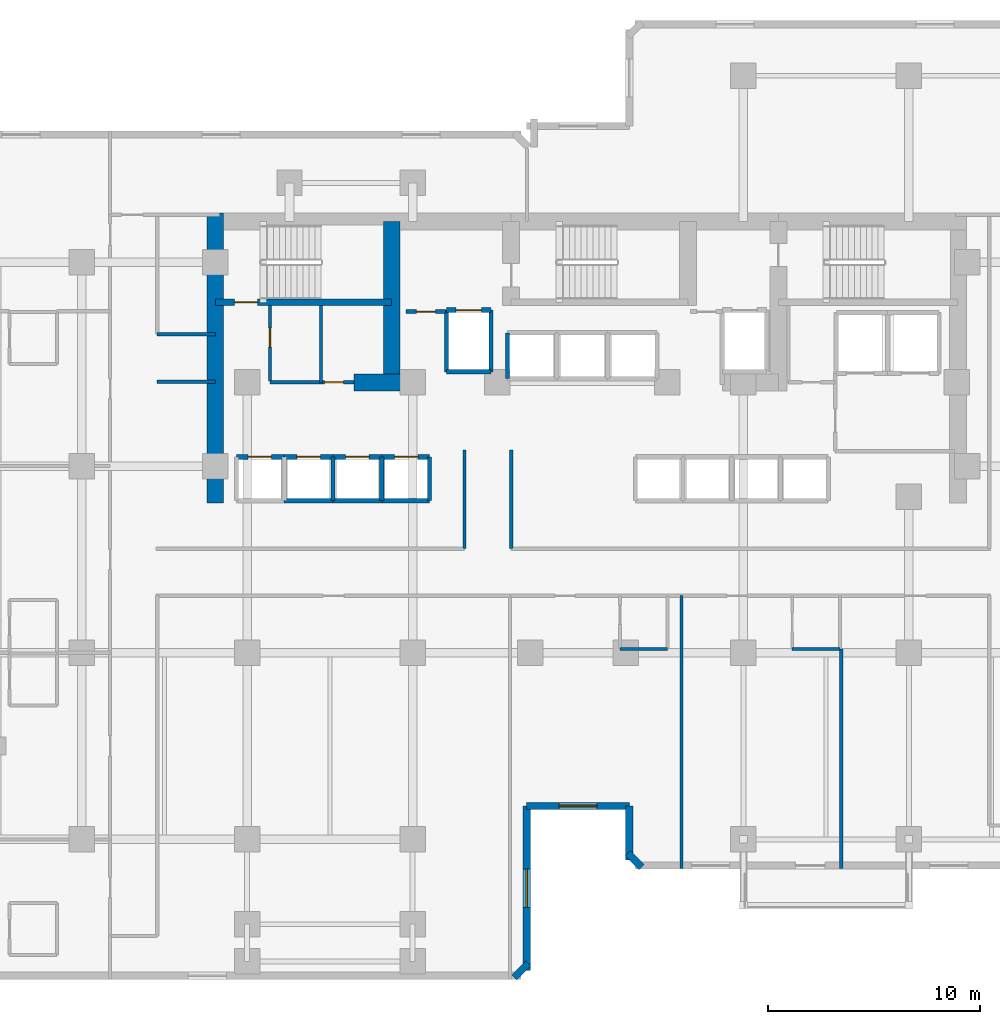
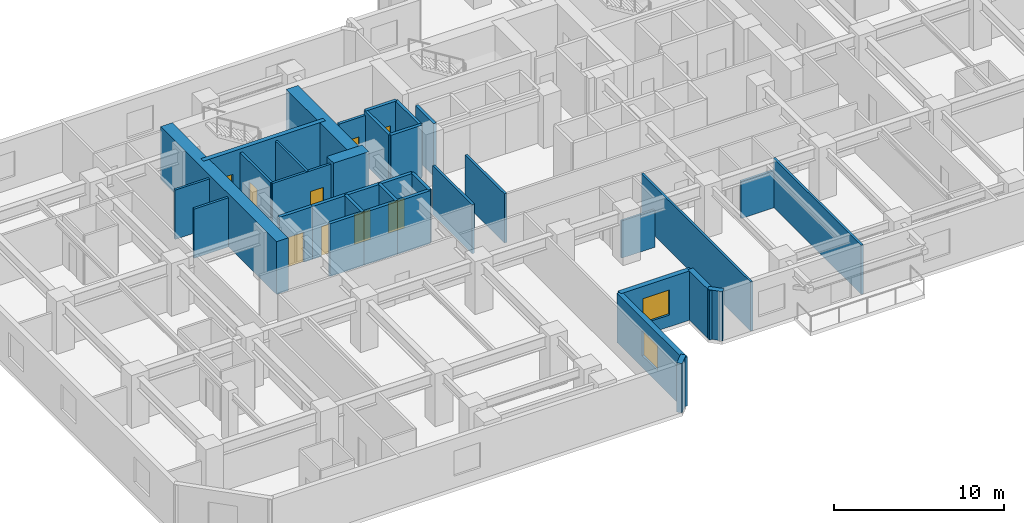
# One storey, part 6 of 11: 36 walls, 9 doors, 2 windows, 11 openings.
"""IFC4 building model written with IfcOpenShell, lengths in metres."""

from ifc_helpers import new_model, si_unit, direction, frame, frame_2d, origin, place, context, subcontext, project, spatial, rectangle, extrude, material, layer, layer_set, type_object, element, fill, save


model = new_model("IFC4")

# Units and contexts
model_context = context("Model", 3, precision=1e-05, world=origin(), true_north=direction((0.0, 1.0)))
body_context = subcontext(model_context, "Body", "Model", "MODEL_VIEW")
ifc_project = project(units=[si_unit("LENGTHUNIT", "METRE"), si_unit("AREAUNIT", "SQUARE_METRE"), si_unit("VOLUMEUNIT", "CUBIC_METRE"), si_unit("PLANEANGLEUNIT", "RADIAN"), si_unit("MASSUNIT", "GRAM", prefix="KILO")], contexts=[model_context])

# Site, building, storey
site_placement = place(None, origin())
site = spatial("IfcSite", under=ifc_project, at=site_placement, CompositionType="ELEMENT")
building_placement = place(site_placement, origin())
building = spatial("IfcBuilding", under=site, at=building_placement, Name="Kestravale Grand Hotel", CompositionType="ELEMENT")
storey_placement = place(building_placement, frame((0.0, 0.0, 84.199951171875)))
storey = spatial("IfcBuildingStorey", under=building, at=storey_placement, Name="L20", CompositionType="ELEMENT", Elevation=84.199951171875)

# Walls
ifc_material_1 = material(Name="Concrete f'c 60 MPa", Category="concrete")
ifc_layer_1 = layer(ifc_material_1, 0.800048828125)
ifc_layer_set_1 = layer_set([ifc_layer_1], Name="EW-CORE-800")
wall_type_1 = type_object("IfcWallType", Name="EW-CORE-800", PredefinedType="SHEAR", material=ifc_layer_set_1)
wall_1_placement = place(storey_placement, frame((21.89990234375, 27.050048828125, 0.0), z_axis=(0.0, 0.0, 1.0), x_axis=(0.0, 1.0, 0.0)))
element("IfcWall", 1, at=wall_1_placement, inside=storey, type_object=wall_type_1, Name="L20 core shear wall W1", PredefinedType="SHEAR", context=body_context, shape_type="SweptSolid", body=[
    extrude(rectangle(XDim=13.669921875, YDim=0.800048828125, at=frame_2d((6.8349609375, 0.0))), origin(), (0.0, 0.0, 1.0), 3.800048828125),
])
wall_2_placement = place(storey_placement, frame((28.449951171875, 32.75, 0.0), z_axis=(0.0, 0.0, 1.0), x_axis=(1.0, 0.0, 0.0)))
element("IfcWall", 2, at=wall_2_placement, inside=storey, type_object=wall_type_1, Name="L20 core shear wall S1", PredefinedType="SHEAR", context=body_context, shape_type="SweptSolid", body=[
    extrude(rectangle(XDim=2.400146484375, YDim=0.800048828125, at=frame_2d((1.2001953125, 0.0))), origin(), (0.0, 0.0, 1.0), 3.800048828125),
])
wall_3_placement = place(storey_placement, frame((30.219970703125, 33.14990234375, 0.0), z_axis=(0.0, 0.0, 1.0), x_axis=(0.0, 1.0, 0.0)))
element("IfcWall", 3, at=wall_3_placement, inside=storey, type_object=wall_type_1, Name="L20 core shear wall X1", PredefinedType="SHEAR", context=body_context, shape_type="SweptSolid", body=[
    extrude(rectangle(XDim=7.170166015625, YDim=0.800048828125, at=frame_2d((3.5849609375, 0.0))), origin(), (0.0, 0.0, 1.0), 3.800048828125),
])
ifc_material_2 = material(Name="Precast concrete f'c 45 MPa", Category="concrete")
ifc_layer_2 = layer(ifc_material_2, 0.340087890625)
ifc_layer_set_2 = layer_set([ifc_layer_2], Name="EW-PREC-340")
wall_type_2 = type_object("IfcWallType", Name="EW-PREC-340", PredefinedType="SOLIDWALL", material=ifc_layer_set_2)
wall_4_placement = place(storey_placement, frame((36.00146484375, 4.69189453125, 0.0), z_axis=(0.0, 0.0, 1.0), x_axis=(0.707238225886, 0.706975312048, 0.0)))
element("IfcWall", 4, at=wall_4_placement, inside=storey, type_object=wall_type_2, Name="L20 fluted precast facade wall 2", PredefinedType="SOLIDWALL", context=body_context, shape_type="SweptSolid", body=[
    extrude(rectangle(XDim=0.9287109375, YDim=0.340087890625, at=frame_2d((0.46435546875, 0.0))), origin(), (0.0, 0.0, 1.0), 3.5400390625),
])

# Wall, opening, window
wall_5_placement = place(storey_placement, frame((36.580078125, 5.030029296875, 0.0), z_axis=(0.0, 0.0, 1.0), x_axis=(0.0, 1.0, 0.0)))
wall_5 = element("IfcWall", 5, at=wall_5_placement, inside=storey, type_object=wall_type_2, Name="L20 fluted precast facade wall 3", PredefinedType="SOLIDWALL", context=body_context, shape_type="SweptSolid", body=[
    extrude(rectangle(XDim=7.739990234375, YDim=0.340087890625, at=frame_2d((3.8701171875, 0.0))), origin(), (0.0, 0.0, 1.0), 3.5400390625),
])
opening_1_placement = place(wall_5_placement, frame((2.969970703125, 0.0, 0.85009765625)))
opening_1 = element("IfcOpeningElement", 6, at=opening_1_placement, cuts=wall_5, Name="Opening W-GUEST-1800", PredefinedType="OPENING", context=body_context, shape_type="SweptSolid", body=[
    extrude(rectangle(XDim=1.800048828125, YDim=1.800048828125, at=frame_2d((0.89990234375, 0.89990234375))), frame((0.0, 0.179931640625, 0.0), z_axis=(0.0, -1.0, 0.0), x_axis=(1.0, 0.0, 0.0)), (0.0, 0.0, 1.0), 0.360107421875),
])
ifc_material_3 = material(Name="Insulated low-E double glazing in aluminium frame", Category="aluminium")
window_type = type_object("IfcWindowType", Name="W-GUEST-1800", PartitioningType="DOUBLE_PANEL_VERTICAL", PredefinedType="WINDOW", material=ifc_material_3)
window_1_placement = place(opening_1_placement, origin())
window_1 = element("IfcWindow", 7, at=window_1_placement, inside=storey, type_object=window_type, Name="L20 exterior window 3.1", OverallHeight=1.800048828125, OverallWidth=1.800048828125, PartitioningType="SINGLE_PANEL", PredefinedType="WINDOW", context=body_context, shape_type="SweptSolid", body=[
    extrude(rectangle(XDim=1.800048828125, YDim=1.800048828125, at=frame_2d((0.89990234375, 0.89990234375))), frame((0.0, 0.030029296875, 0.0), z_axis=(0.0, -1.0, 0.0), x_axis=(1.0, 0.0, 0.0)), (0.0, 0.0, 1.0), 0.06005859375),
])
fill(opening_1, window_1)

wall_6_placement = place(storey_placement, frame((36.580078125, 12.77001953125, 0.0), z_axis=(0.0, 0.0, 1.0), x_axis=(1.0, 0.0, 0.0)))
wall_6 = element("IfcWall", 8, at=wall_6_placement, inside=storey, type_object=wall_type_2, Name="L20 fluted precast facade wall 4", PredefinedType="SOLIDWALL", context=body_context, shape_type="SweptSolid", body=[
    extrude(rectangle(XDim=4.83984375, YDim=0.340087890625, at=frame_2d((2.419921875, 0.0))), origin(), (0.0, 0.0, 1.0), 3.5400390625),
])
opening_2_placement = place(wall_6_placement, frame((1.52001953125, 0.0, 0.85009765625)))
opening_2 = element("IfcOpeningElement", 9, at=opening_2_placement, cuts=wall_6, Name="Opening W-GUEST-1800", PredefinedType="OPENING", context=body_context, shape_type="SweptSolid", body=[
    extrude(rectangle(XDim=1.800048828125, YDim=1.800048828125, at=frame_2d((0.89990234375, 0.89990234375))), frame((0.0, 0.179931640625, 0.0), z_axis=(0.0, -1.0, 0.0), x_axis=(1.0, 0.0, 0.0)), (0.0, 0.0, 1.0), 0.360107421875),
])
window_2_placement = place(opening_2_placement, origin())
window_2 = element("IfcWindow", 10, at=window_2_placement, inside=storey, type_object=window_type, Name="L20 exterior window 4.1", OverallHeight=1.800048828125, OverallWidth=1.800048828125, PartitioningType="SINGLE_PANEL", PredefinedType="WINDOW", context=body_context, shape_type="SweptSolid", body=[
    extrude(rectangle(XDim=1.800048828125, YDim=1.800048828125, at=frame_2d((0.89990234375, 0.89990234375))), frame((0.0, 0.030029296875, 0.0), z_axis=(0.0, -1.0, 0.0), x_axis=(1.0, 0.0, 0.0)), (0.0, 0.0, 1.0), 0.06005859375),
])
fill(opening_2, window_2)

# Walls
wall_7_placement = place(storey_placement, frame((41.419921875, 12.77001953125, 0.0), z_axis=(0.0, 0.0, 1.0), x_axis=(0.0, -1.0, 0.0)))
element("IfcWall", 11, at=wall_7_placement, inside=storey, type_object=wall_type_2, Name="L20 fluted precast facade wall 5", PredefinedType="SOLIDWALL", context=body_context, shape_type="SweptSolid", body=[
    extrude(rectangle(XDim=2.5400390625, YDim=0.340087890625, at=frame_2d((1.27001953125, 0.0))), origin(), (0.0, 0.0, 1.0), 3.5400390625),
])
wall_8_placement = place(storey_placement, frame((41.341796875, 10.548583984375, 0.0), z_axis=(0.0, 0.0, 1.0), x_axis=(0.707106781187, -0.707106781187, 0.0)))
element("IfcWall", 12, at=wall_8_placement, inside=storey, type_object=wall_type_2, Name="L20 fluted precast facade wall 6", PredefinedType="SOLIDWALL", context=body_context, shape_type="SweptSolid", body=[
    extrude(rectangle(XDim=0.9287109375, YDim=0.340087890625, at=frame_2d((0.46435546875, 0.0))), origin(), (0.0, 0.0, 1.0), 3.5400390625),
])

# Wall, opening, door
ifc_material_4 = material(Name="Concrete f'c 45 MPa", Category="concrete")
ifc_layer_3 = layer(ifc_material_4, 0.300048828125)
ifc_layer_set_3 = layer_set([ifc_layer_3], Name="EW-STAIR-300")
wall_type_3 = type_object("IfcWallType", Name="EW-STAIR-300", PredefinedType="SHEAR", material=ifc_layer_set_3)
wall_9_placement = place(storey_placement, frame((21.89990234375, 36.52001953125, 0.0), z_axis=(0.0, 0.0, 1.0), x_axis=(1.0, 0.0, 0.0)))
wall_9 = element("IfcWall", 13, at=wall_9_placement, inside=storey, type_object=wall_type_3, Name="L20 stair enclosure shear wall SST1", PredefinedType="SHEAR", context=body_context, shape_type="SweptSolid", body=[
    extrude(rectangle(XDim=8.320068359375, YDim=0.300048828125, at=frame_2d((4.16015625, 0.0))), origin(), (0.0, 0.0, 1.0), 3.800048828125),
])
opening_3_placement = place(wall_9_placement, frame((0.89990234375, 0.0, 0.0)))
opening_3 = element("IfcOpeningElement", 14, at=opening_3_placement, cuts=wall_9, Name="Opening D-ST-1100", PredefinedType="OPENING", context=body_context, shape_type="SweptSolid", body=[
    extrude(rectangle(XDim=1.10009765625, YDim=2.14990234375, at=frame_2d((0.550048828125, 1.074951171875))), frame((0.0, 0.159912109375, 0.0), z_axis=(0.0, -1.0, 0.0), x_axis=(1.0, 0.0, 0.0)), (0.0, 0.0, 1.0), 0.320068359375),
])
ifc_material_5 = material(Name="Galvanised 90-minute fire-rated steel stair door", Category="steel")
door_type_1 = type_object("IfcDoorType", Name="D-ST-1100", OperationType="NOTDEFINED", PredefinedType="DOOR", material=ifc_material_5)
door_1_placement = place(opening_3_placement, origin())
door_1 = element("IfcDoor", 15, at=door_1_placement, inside=storey, type_object=door_type_1, Name="L20 Stair ST-1 fire door", OperationType="SINGLE_SWING_RIGHT", OverallHeight=2.14990234375, OverallWidth=1.10009765625, PredefinedType="DOOR", context=body_context, shape_type="SweptSolid", body=[
    extrude(rectangle(XDim=1.10009765625, YDim=2.14990234375, at=frame_2d((0.550048828125, 1.074951171875))), frame((0.0, 0.02490234375, 0.0), z_axis=(0.0, -1.0, 0.0), x_axis=(1.0, 0.0, 0.0)), (0.0, 0.0, 1.0), 0.050048828125),
])
fill(opening_3, door_1)

ifc_material_6 = material(Name="Acoustic fire-rated gypsum board partition", Category="other")
ifc_layer_4 = layer(ifc_material_6, 0.159912109375)
ifc_layer_set_4 = layer_set([ifc_layer_4], Name="IW-CORR-160")
wall_type_4 = type_object("IfcWallType", Name="IW-CORR-160", PredefinedType="PARTITIONING", material=ifc_layer_set_4)
wall_10_placement = place(storey_placement, frame((24.47998046875, 32.800048828125, 0.0), z_axis=(0.0, 0.0, 1.0), x_axis=(0.0, 1.0, 0.0)))
wall_10 = element("IfcWall", 16, at=wall_10_placement, inside=storey, type_object=wall_type_4, Name="L20 west core vestibule wall", PredefinedType="PARTITIONING", context=body_context, shape_type="SweptSolid", body=[
    extrude(rectangle(XDim=3.570068359375, YDim=0.159912109375, at=frame_2d((1.78515625, 0.0))), origin(), (0.0, 0.0, 1.0), 3.5400390625),
])
opening_4_placement = place(wall_10_placement, frame((1.603515625, 0.0, 0.0)))
opening_4 = element("IfcOpeningElement", 17, at=opening_4_placement, cuts=wall_10, Name="Opening D-SH-900", PredefinedType="OPENING", context=body_context, shape_type="SweptSolid", body=[
    extrude(rectangle(XDim=0.89990234375, YDim=2.10009765625, at=frame_2d((0.449951171875, 1.050048828125))), frame((0.0, 0.08984375, 0.0), z_axis=(0.0, -1.0, 0.0), x_axis=(1.0, 0.0, 0.0)), (0.0, 0.0, 1.0), 0.179931640625),
])
ifc_material_7 = material(Name="Galvanised 90-minute shaft and service fire door", Category="steel")
door_type_2 = type_object("IfcDoorType", Name="D-SH-900", OperationType="NOTDEFINED", PredefinedType="DOOR", material=ifc_material_7)
door_2_placement = place(opening_4_placement, origin())
door_2 = element("IfcDoor", 18, at=door_2_placement, inside=storey, type_object=door_type_2, Name="D-L20-HK", OperationType="SINGLE_SWING_RIGHT", OverallHeight=2.10009765625, OverallWidth=0.89990234375, PredefinedType="DOOR", context=body_context, shape_type="SweptSolid", body=[
    extrude(rectangle(XDim=0.89990234375, YDim=2.10009765625, at=frame_2d((0.449951171875, 1.050048828125))), frame((0.0, 0.02490234375, 0.0), z_axis=(0.0, -1.0, 0.0), x_axis=(1.0, 0.0, 0.0)), (0.0, 0.0, 1.0), 0.050048828125),
])
fill(opening_4, door_2)

wall_11_placement = place(storey_placement, frame((24.47998046875, 32.75, 0.0), z_axis=(0.0, 0.0, 1.0), x_axis=(1.0, 0.0, 0.0)))
wall_11 = element("IfcWall", 19, at=wall_11_placement, inside=storey, type_object=wall_type_4, Name="W-L20-CWS", PredefinedType="PARTITIONING", context=body_context, shape_type="SweptSolid", body=[
    extrude(rectangle(XDim=3.969970703125, YDim=0.159912109375, at=frame_2d((1.98486328125, 0.0))), origin(), (0.0, 0.0, 1.0), 3.5400390625),
])
opening_5_placement = place(wall_11_placement, frame((2.574951171875, 0.0, 0.0)))
opening_5 = element("IfcOpeningElement", 20, at=opening_5_placement, cuts=wall_11, Name="Opening D-BATH-880", PredefinedType="OPENING", context=body_context, shape_type="SweptSolid", body=[
    extrude(rectangle(XDim=0.8798828125, YDim=2.050048828125, at=frame_2d((0.43994140625, 1.02490234375))), frame((0.0, 0.08984375, 0.0), z_axis=(0.0, -1.0, 0.0), x_axis=(1.0, 0.0, 0.0)), (0.0, 0.0, 1.0), 0.179931640625),
])
ifc_material_8 = material(Name="Moisture-sealed walnut en-suite bathroom door", Category="wood")
door_type_3 = type_object("IfcDoorType", Name="D-BATH-880", OperationType="NOTDEFINED", PredefinedType="DOOR", material=ifc_material_8)
door_3_placement = place(opening_5_placement, origin())
door_3 = element("IfcDoor", 21, at=door_3_placement, inside=storey, type_object=door_type_3, Name="D-L20-SWC", OperationType="SINGLE_SWING_RIGHT", OverallHeight=2.050048828125, OverallWidth=0.8798828125, PredefinedType="DOOR", context=body_context, shape_type="SweptSolid", body=[
    extrude(rectangle(XDim=0.8798828125, YDim=2.050048828125, at=frame_2d((0.43994140625, 1.02490234375))), frame((0.0, 0.02490234375, 0.0), z_axis=(0.0, -1.0, 0.0), x_axis=(1.0, 0.0, 0.0)), (0.0, 0.0, 1.0), 0.050048828125),
])
fill(opening_5, door_3)

# Walls
for number, where, z_axis, x_axis, name in (
    (22, (33.64990234375, 24.909912109375, 0.0), (0.0, 0.0, 1.0), (0.0, 1.0, 0.0), "W-L20-TRUNK-W"),
    (23, (35.85009765625, 24.909912109375, 0.0), (0.0, 0.0, 1.0), (0.0, 1.0, 0.0), "W-L20-TRUNK-E"),
):
    element("IfcWall", number, at=place(storey_placement, frame(where, z_axis=z_axis, x_axis=x_axis)), inside=storey, type_object=wall_type_4, Name=name, PredefinedType="PARTITIONING", context=body_context, shape_type="SweptSolid", body=[
        extrude(rectangle(XDim=4.64013671875, YDim=0.159912109375, at=frame_2d((2.320068359375, 0.0))), origin(), (0.0, 0.0, 1.0), 3.5400390625),
    ])
for number, where, z_axis, x_axis, name in (
    (24, (19.159912109375, 35.02001953125, 0.0), (0.0, 0.0, 1.0), (1.0, 0.0, 0.0), "W-L20-SW-CN"),
    (25, (19.159912109375, 32.780029296875, 0.0), (0.0, 0.0, 1.0), (1.0, 0.0, 0.0), "W-L20-SW-CS"),
):
    element("IfcWall", number, at=place(storey_placement, frame(where, z_axis=z_axis, x_axis=x_axis)), inside=storey, type_object=wall_type_4, Name=name, PredefinedType="PARTITIONING", context=body_context, shape_type="SweptSolid", body=[
        extrude(rectangle(XDim=2.739990234375, YDim=0.159912109375, at=frame_2d((1.3701171875, 0.0))), origin(), (0.0, 0.0, 1.0), 3.5400390625),
    ])

# Wall, opening, door
ifc_material_9 = material(Name="Fire-rated gypsum board on steel studs with mineral wool", Category="steel")
ifc_layer_5 = layer(ifc_material_9, 0.179931640625)
ifc_layer_set_5 = layer_set([ifc_layer_5], Name="IW-FSAE-180")
wall_type_5 = type_object("IfcWallType", Name="IW-FSAE-180", PredefinedType="PARTITIONING", material=ifc_layer_set_5)
wall_12_placement = place(storey_placement, frame((30.89990234375, 36.080078125, 0.0), z_axis=(0.0, 0.0, 1.0), x_axis=(1.0, 0.0, 0.0)))
wall_12 = element("IfcWall", 26, at=wall_12_placement, inside=storey, type_object=wall_type_5, Name="L20 FSAE Lobby 1 smoke barrier", PredefinedType="PARTITIONING", context=body_context, shape_type="SweptSolid", body=[
    extrude(rectangle(XDim=1.85009765625, YDim=0.179931640625, at=frame_2d((0.925048828125, 0.0))), origin(), (0.0, 0.0, 1.0), 3.5400390625),
])
opening_6_placement = place(wall_12_placement, frame((0.47998046875, 0.0, 0.0)))
opening_6 = element("IfcOpeningElement", 27, at=opening_6_placement, cuts=wall_12, Name="Opening D-FSAE-1000", PredefinedType="OPENING", context=body_context, shape_type="SweptSolid", body=[
    extrude(rectangle(XDim=0.89990234375, YDim=2.14990234375, at=frame_2d((0.449951171875, 1.074951171875))), frame((0.0, 0.099853515625, 0.0), z_axis=(0.0, -1.0, 0.0), x_axis=(1.0, 0.0, 0.0)), (0.0, 0.0, 1.0), 0.199951171875),
])
ifc_material_10 = material(Name="Smoke-gasketed FSAE lobby fire door", Category="steel")
door_type_4 = type_object("IfcDoorType", Name="D-FSAE-1000", OperationType="NOTDEFINED", PredefinedType="DOOR", material=ifc_material_10)
door_4_placement = place(opening_6_placement, origin())
door_4 = element("IfcDoor", 28, at=door_4_placement, inside=storey, type_object=door_type_4, Name="L20 FSAE Lobby 1 fire door", OperationType="SINGLE_SWING_RIGHT", OverallHeight=2.14990234375, OverallWidth=0.89990234375, PredefinedType="DOOR", context=body_context, shape_type="SweptSolid", body=[
    extrude(rectangle(XDim=0.89990234375, YDim=2.14990234375, at=frame_2d((0.449951171875, 1.074951171875))), frame((0.0, 0.02490234375, 0.0), z_axis=(0.0, -1.0, 0.0), x_axis=(1.0, 0.0, 0.0)), (0.0, 0.0, 1.0), 0.050048828125),
])
fill(opening_6, door_4)

# Walls
ifc_material_11 = material(Name="Moisture-resistant tile-backer plumbing chase wall", Category="other")
ifc_layer_6 = layer(ifc_material_11, 0.139892578125)
ifc_layer_set_6 = layer_set([ifc_layer_6], Name="IW-PLB-140")
wall_type_6 = type_object("IfcWallType", Name="IW-PLB-140", PredefinedType="PLUMBINGWALL", material=ifc_layer_set_6)
for number, where, z_axis, x_axis, name in (
    (29, (40.97998046875, 20.179931640625, 0.0), (0.0, 0.0, 1.0), (1.0, 0.0, 0.0), "W-L20-U01-BS"),
    (30, (49.10009765625, 20.179931640625, 0.0), (0.0, 0.0, 1.0), (1.0, 0.0, 0.0), "W-L20-U02-BS"),
):
    element("IfcWall", number, at=place(storey_placement, frame(where, z_axis=z_axis, x_axis=x_axis)), inside=storey, type_object=wall_type_6, Name=name, PredefinedType="PLUMBINGWALL", context=body_context, shape_type="SweptSolid", body=[
        extrude(rectangle(XDim=2.25, YDim=0.139892578125, at=frame_2d((1.125, 0.0))), origin(), (0.0, 0.0, 1.0), 2.678955078125),
    ])
ifc_material_12 = material(Name="Concrete f'c 45 MPa", Category="concrete")
ifc_layer_7 = layer(ifc_material_12, 0.199951171875)
ifc_layer_set_7 = layer_set([ifc_layer_7], Name="IW-SHAFT-200")
wall_type_7 = type_object("IfcWallType", Name="IW-SHAFT-200", PredefinedType="SHEAR", material=ifc_layer_set_7)
for number, where, z_axis, x_axis, name in (
    (31, (27.449951171875, 27.169921875, 0.0), (0.0, 0.0, 1.0), (0.0, 1.0, 0.0), "L20 PL-L3 west shaft wall"),
    (32, (29.75, 27.169921875, 0.0), (0.0, 0.0, 1.0), (0.0, 1.0, 0.0), "L20 PL-L4 west shaft wall"),
    (33, (31.9951171875, 27.169921875, 0.0), (0.0, 0.0, 1.0), (0.0, 1.0, 0.0), "L20 PL-L4 east shaft wall"),
):
    element("IfcWall", number, at=place(storey_placement, frame(where, z_axis=z_axis, x_axis=x_axis)), inside=storey, type_object=wall_type_7, Name=name, PredefinedType="SHEAR", context=body_context, shape_type="SweptSolid", body=[
        extrude(rectangle(XDim=2.06005859375, YDim=0.199951171875, at=frame_2d((1.030029296875, 0.0))), origin(), (0.0, 0.0, 1.0), 3.800048828125),
    ])
wall_13_placement = place(storey_placement, frame((35.679931640625, 32.919921875, 0.0), z_axis=(0.0, 0.0, 1.0), x_axis=(0.0, 1.0, 0.0)))
element("IfcWall", 34, at=wall_13_placement, inside=storey, type_object=wall_type_7, Name="L20 PL-X1 west shaft wall", PredefinedType="SHEAR", context=body_context, shape_type="SweptSolid", body=[
    extrude(rectangle(XDim=2.16015625, YDim=0.199951171875, at=frame_2d((1.080078125, 0.0))), origin(), (0.0, 0.0, 1.0), 3.800048828125),
])
for number, where, z_axis, x_axis, name in (
    (35, (32.804931640625, 33.2451171875, 0.0), (0.0, 0.0, 1.0), (0.0, 1.0, 0.0), "L20 FL-1 west shaft wall"),
    (36, (34.89501953125, 33.2451171875, 0.0), (0.0, 0.0, 1.0), (0.0, 1.0, 0.0), "L20 FL-1 east shaft wall"),
):
    element("IfcWall", number, at=place(storey_placement, frame(where, z_axis=z_axis, x_axis=x_axis)), inside=storey, type_object=wall_type_7, Name=name, PredefinedType="SHEAR", context=body_context, shape_type="SweptSolid", body=[
        extrude(rectangle(XDim=2.909912109375, YDim=0.199951171875, at=frame_2d((1.455078125, 0.0))), origin(), (0.0, 0.0, 1.0), 3.800048828125),
    ])

# Wall, opening, door
ifc_material_13 = material(Name="Concrete f'c 45 MPa", Category="concrete")
ifc_layer_8 = layer(ifc_material_13, 0.219970703125)
ifc_layer_set_8 = layer_set([ifc_layer_8], Name="IW-SHAFT-220")
wall_type_8 = type_object("IfcWallType", Name="IW-SHAFT-220", PredefinedType="SHEAR", material=ifc_layer_set_8)
wall_14_placement = place(storey_placement, frame((22.905029296875, 29.22998046875, 0.0), z_axis=(0.0, 0.0, 1.0), x_axis=(1.0, 0.0, 0.0)))
wall_14 = element("IfcWall", 37, at=wall_14_placement, inside=storey, type_object=wall_type_8, Name="L20 PL-L1 north shaft wall", PredefinedType="SHEAR", context=body_context, shape_type="SweptSolid", body=[
    extrude(rectangle(XDim=2.244873046875, YDim=0.219970703125, at=frame_2d((1.12255859375, 0.0))), origin(), (0.0, 0.0, 1.0), 3.800048828125),
])
opening_7_placement = place(wall_14_placement, frame((0.544921875, 0.0, 0.0)))
opening_7 = element("IfcOpeningElement", 38, at=opening_7_placement, cuts=wall_14, Name="Opening LD-PAX-1100", PredefinedType="OPENING", context=body_context, shape_type="SweptSolid", body=[
    extrude(rectangle(XDim=1.10009765625, YDim=2.14990234375, at=frame_2d((0.550048828125, 1.074951171875))), frame((0.0, 0.119873046875, 0.0), z_axis=(0.0, -1.0, 0.0), x_axis=(1.0, 0.0, 0.0)), (0.0, 0.0, 1.0), 0.239990234375),
])
ifc_material_14 = material(Name="Champagne-bronze center-opening sliding elevator landing door", Category="steel")
door_type_5 = type_object("IfcDoorType", Name="LD-PAX-1100", OperationType="NOTDEFINED", PredefinedType="DOOR", material=ifc_material_14)
door_5_placement = place(opening_7_placement, origin())
door_5 = element("IfcDoor", 39, at=door_5_placement, inside=storey, type_object=door_type_5, Name="L20 PL-L1 elevator landing sliding door", OperationType="DOUBLE_DOOR_SLIDING", OverallHeight=2.14990234375, OverallWidth=1.10009765625, PredefinedType="DOOR", context=body_context, shape_type="SweptSolid", body=[
    extrude(rectangle(XDim=1.10009765625, YDim=2.14990234375, at=frame_2d((0.550048828125, 1.074951171875))), frame((0.0, 0.02490234375, 0.0), z_axis=(0.0, -1.0, 0.0), x_axis=(1.0, 0.0, 0.0)), (0.0, 0.0, 1.0), 0.050048828125),
])
fill(opening_7, door_5)

wall_15_placement = place(storey_placement, frame((25.14990234375, 29.22998046875, 0.0), z_axis=(0.0, 0.0, 1.0), x_axis=(1.0, 0.0, 0.0)))
wall_15 = element("IfcWall", 40, at=wall_15_placement, inside=storey, type_object=wall_type_8, Name="L20 PL-L2 north shaft wall", PredefinedType="SHEAR", context=body_context, shape_type="SweptSolid", body=[
    extrude(rectangle(XDim=2.300048828125, YDim=0.219970703125, at=frame_2d((1.14990234375, 0.0))), origin(), (0.0, 0.0, 1.0), 3.800048828125),
])
opening_8_placement = place(wall_15_placement, frame((0.60009765625, 0.0, 0.0)))
opening_8 = element("IfcOpeningElement", 41, at=opening_8_placement, cuts=wall_15, Name="Opening LD-PAX-1100", PredefinedType="OPENING", context=body_context, shape_type="SweptSolid", body=[
    extrude(rectangle(XDim=1.10009765625, YDim=2.14990234375, at=frame_2d((0.550048828125, 1.074951171875))), frame((0.0, 0.119873046875, 0.0), z_axis=(0.0, -1.0, 0.0), x_axis=(1.0, 0.0, 0.0)), (0.0, 0.0, 1.0), 0.239990234375),
])
door_6_placement = place(opening_8_placement, origin())
door_6 = element("IfcDoor", 42, at=door_6_placement, inside=storey, type_object=door_type_5, Name="L20 PL-L2 elevator landing sliding door", OperationType="DOUBLE_DOOR_SLIDING", OverallHeight=2.14990234375, OverallWidth=1.10009765625, PredefinedType="DOOR", context=body_context, shape_type="SweptSolid", body=[
    extrude(rectangle(XDim=1.10009765625, YDim=2.14990234375, at=frame_2d((0.550048828125, 1.074951171875))), frame((0.0, 0.02490234375, 0.0), z_axis=(0.0, -1.0, 0.0), x_axis=(1.0, 0.0, 0.0)), (0.0, 0.0, 1.0), 0.050048828125),
])
fill(opening_8, door_6)

# Wall
wall_16_placement = place(storey_placement, frame((25.14990234375, 27.169921875, 0.0), z_axis=(0.0, 0.0, 1.0), x_axis=(1.0, 0.0, 0.0)))
element("IfcWall", 43, at=wall_16_placement, inside=storey, type_object=wall_type_8, Name="L20 PL-L2 south shaft wall", PredefinedType="SHEAR", context=body_context, shape_type="SweptSolid", body=[
    extrude(rectangle(XDim=2.300048828125, YDim=0.219970703125, at=frame_2d((1.14990234375, 0.0))), origin(), (0.0, 0.0, 1.0), 3.800048828125),
])

# Wall, opening, door
wall_17_placement = place(storey_placement, frame((27.449951171875, 29.22998046875, 0.0), z_axis=(0.0, 0.0, 1.0), x_axis=(1.0, 0.0, 0.0)))
wall_17 = element("IfcWall", 44, at=wall_17_placement, inside=storey, type_object=wall_type_8, Name="L20 PL-L3 north shaft wall", PredefinedType="SHEAR", context=body_context, shape_type="SweptSolid", body=[
    extrude(rectangle(XDim=2.300048828125, YDim=0.219970703125, at=frame_2d((1.14990234375, 0.0))), origin(), (0.0, 0.0, 1.0), 3.800048828125),
])
opening_9_placement = place(wall_17_placement, frame((0.60009765625, 0.0, 0.0)))
opening_9 = element("IfcOpeningElement", 45, at=opening_9_placement, cuts=wall_17, Name="Opening LD-PAX-1100", PredefinedType="OPENING", context=body_context, shape_type="SweptSolid", body=[
    extrude(rectangle(XDim=1.10009765625, YDim=2.14990234375, at=frame_2d((0.550048828125, 1.074951171875))), frame((0.0, 0.119873046875, 0.0), z_axis=(0.0, -1.0, 0.0), x_axis=(1.0, 0.0, 0.0)), (0.0, 0.0, 1.0), 0.239990234375),
])
door_7_placement = place(opening_9_placement, origin())
door_7 = element("IfcDoor", 46, at=door_7_placement, inside=storey, type_object=door_type_5, Name="L20 PL-L3 elevator landing sliding door", OperationType="DOUBLE_DOOR_SLIDING", OverallHeight=2.14990234375, OverallWidth=1.10009765625, PredefinedType="DOOR", context=body_context, shape_type="SweptSolid", body=[
    extrude(rectangle(XDim=1.10009765625, YDim=2.14990234375, at=frame_2d((0.550048828125, 1.074951171875))), frame((0.0, 0.02490234375, 0.0), z_axis=(0.0, -1.0, 0.0), x_axis=(1.0, 0.0, 0.0)), (0.0, 0.0, 1.0), 0.050048828125),
])
fill(opening_9, door_7)

# Wall
wall_18_placement = place(storey_placement, frame((27.449951171875, 27.169921875, 0.0), z_axis=(0.0, 0.0, 1.0), x_axis=(1.0, 0.0, 0.0)))
element("IfcWall", 47, at=wall_18_placement, inside=storey, type_object=wall_type_8, Name="L20 PL-L3 south shaft wall", PredefinedType="SHEAR", context=body_context, shape_type="SweptSolid", body=[
    extrude(rectangle(XDim=2.300048828125, YDim=0.219970703125, at=frame_2d((1.14990234375, 0.0))), origin(), (0.0, 0.0, 1.0), 3.800048828125),
])

# Wall, opening, door
wall_19_placement = place(storey_placement, frame((29.75, 29.22998046875, 0.0), z_axis=(0.0, 0.0, 1.0), x_axis=(1.0, 0.0, 0.0)))
wall_19 = element("IfcWall", 48, at=wall_19_placement, inside=storey, type_object=wall_type_8, Name="L20 PL-L4 north shaft wall", PredefinedType="SHEAR", context=body_context, shape_type="SweptSolid", body=[
    extrude(rectangle(XDim=2.2451171875, YDim=0.219970703125, at=frame_2d((1.12255859375, 0.0))), origin(), (0.0, 0.0, 1.0), 3.800048828125),
])
opening_10_placement = place(wall_19_placement, frame((0.60009765625, 0.0, 0.0)))
opening_10 = element("IfcOpeningElement", 49, at=opening_10_placement, cuts=wall_19, Name="Opening LD-PAX-1100", PredefinedType="OPENING", context=body_context, shape_type="SweptSolid", body=[
    extrude(rectangle(XDim=1.10009765625, YDim=2.14990234375, at=frame_2d((0.550048828125, 1.074951171875))), frame((0.0, 0.119873046875, 0.0), z_axis=(0.0, -1.0, 0.0), x_axis=(1.0, 0.0, 0.0)), (0.0, 0.0, 1.0), 0.239990234375),
])
door_8_placement = place(opening_10_placement, origin())
door_8 = element("IfcDoor", 50, at=door_8_placement, inside=storey, type_object=door_type_5, Name="L20 PL-L4 elevator landing sliding door", OperationType="DOUBLE_DOOR_SLIDING", OverallHeight=2.14990234375, OverallWidth=1.10009765625, PredefinedType="DOOR", context=body_context, shape_type="SweptSolid", body=[
    extrude(rectangle(XDim=1.10009765625, YDim=2.14990234375, at=frame_2d((0.550048828125, 1.074951171875))), frame((0.0, 0.02490234375, 0.0), z_axis=(0.0, -1.0, 0.0), x_axis=(1.0, 0.0, 0.0)), (0.0, 0.0, 1.0), 0.050048828125),
])
fill(opening_10, door_8)

# Wall
wall_20_placement = place(storey_placement, frame((29.75, 27.169921875, 0.0), z_axis=(0.0, 0.0, 1.0), x_axis=(1.0, 0.0, 0.0)))
element("IfcWall", 51, at=wall_20_placement, inside=storey, type_object=wall_type_8, Name="L20 PL-L4 south shaft wall", PredefinedType="SHEAR", context=body_context, shape_type="SweptSolid", body=[
    extrude(rectangle(XDim=2.2451171875, YDim=0.219970703125, at=frame_2d((1.12255859375, 0.0))), origin(), (0.0, 0.0, 1.0), 3.800048828125),
])

# Wall, opening, door
wall_21_placement = place(storey_placement, frame((32.804931640625, 36.155029296875, 0.0), z_axis=(0.0, 0.0, 1.0), x_axis=(1.0, 0.0, 0.0)))
wall_21 = element("IfcWall", 52, at=wall_21_placement, inside=storey, type_object=wall_type_8, Name="L20 FL-1 north shaft wall", PredefinedType="SHEAR", context=body_context, shape_type="SweptSolid", body=[
    extrude(rectangle(XDim=2.090087890625, YDim=0.219970703125, at=frame_2d((1.044921875, 0.0))), origin(), (0.0, 0.0, 1.0), 3.800048828125),
])
opening_11_placement = place(wall_21_placement, frame((0.445068359375, 0.0, 0.0)))
opening_11 = element("IfcOpeningElement", 53, at=opening_11_placement, cuts=wall_21, Name="Opening LD-FSAE-1200", PredefinedType="OPENING", context=body_context, shape_type="SweptSolid", body=[
    extrude(rectangle(XDim=1.199951171875, YDim=2.14990234375, at=frame_2d((0.60009765625, 1.074951171875))), frame((0.0, 0.119873046875, 0.0), z_axis=(0.0, -1.0, 0.0), x_axis=(1.0, 0.0, 0.0)), (0.0, 0.0, 1.0), 0.239990234375),
])
ifc_material_15 = material(Name="Stainless fire-service sliding elevator landing door", Category="steel")
door_type_6 = type_object("IfcDoorType", Name="LD-FSAE-1200", OperationType="NOTDEFINED", PredefinedType="DOOR", material=ifc_material_15)
door_9_placement = place(opening_11_placement, origin())
door_9 = element("IfcDoor", 54, at=door_9_placement, inside=storey, type_object=door_type_6, Name="L20 FL-1 elevator landing sliding door", OperationType="DOUBLE_DOOR_SLIDING", OverallHeight=2.14990234375, OverallWidth=1.199951171875, PredefinedType="DOOR", context=body_context, shape_type="SweptSolid", body=[
    extrude(rectangle(XDim=1.199951171875, YDim=2.14990234375, at=frame_2d((0.60009765625, 1.074951171875))), frame((0.0, 0.02490234375, 0.0), z_axis=(0.0, -1.0, 0.0), x_axis=(1.0, 0.0, 0.0)), (0.0, 0.0, 1.0), 0.050048828125),
])
fill(opening_11, door_9)

# Walls
wall_22_placement = place(storey_placement, frame((32.804931640625, 33.2451171875, 0.0), z_axis=(0.0, 0.0, 1.0), x_axis=(1.0, 0.0, 0.0)))
element("IfcWall", 55, at=wall_22_placement, inside=storey, type_object=wall_type_8, Name="L20 FL-1 south shaft wall", PredefinedType="SHEAR", context=body_context, shape_type="SweptSolid", body=[
    extrude(rectangle(XDim=2.090087890625, YDim=0.219970703125, at=frame_2d((1.044921875, 0.0))), origin(), (0.0, 0.0, 1.0), 3.800048828125),
])
ifc_material_16 = material(Name="Double-stud STC 52 acoustic demising partition", Category="other")
ifc_layer_9 = layer(ifc_material_16, 0.14990234375)
ifc_layer_set_9 = layer_set([ifc_layer_9], Name="IW-UNIT-150")
wall_type_9 = type_object("IfcWallType", Name="IW-UNIT-150", PredefinedType="PARTITIONING", material=ifc_layer_set_9)
wall_23_placement = place(storey_placement, frame((26.8798828125, 32.75, 0.0), z_axis=(0.0, 0.0, 1.0), x_axis=(0.0, 1.0, 0.0)))
element("IfcWall", 56, at=wall_23_placement, inside=storey, type_object=wall_type_9, Name="W-L20-CC3-V", PredefinedType="PARTITIONING", context=body_context, shape_type="SweptSolid", body=[
    extrude(rectangle(XDim=3.6201171875, YDim=0.14990234375, at=frame_2d((1.81005859375, 0.0))), origin(), (0.0, 0.0, 1.0), 3.5400390625),
])
wall_24_placement = place(storey_placement, frame((43.8798828125, 9.820068359375, 0.0), z_axis=(0.0, 0.0, 1.0), x_axis=(0.0, 1.0, 0.0)))
element("IfcWall", 57, at=wall_24_placement, inside=storey, type_object=wall_type_9, Name="W-L20-ES-1", PredefinedType="PARTITIONING", context=body_context, shape_type="SweptSolid", body=[
    extrude(rectangle(XDim=12.869873046875, YDim=0.14990234375, at=frame_2d((6.43505859375, 0.0))), origin(), (0.0, 0.0, 1.0), 3.5400390625),
])
wall_25_placement = place(storey_placement, frame((51.409912109375, 9.820068359375, 0.0), z_axis=(0.0, 0.0, 1.0), x_axis=(0.0, 1.0, 0.0)))
element("IfcWall", 58, at=wall_25_placement, inside=storey, type_object=wall_type_9, Name="W-L20-ES-2", PredefinedType="PARTITIONING", context=body_context, shape_type="SweptSolid", body=[
    extrude(rectangle(XDim=10.35986328125, YDim=0.14990234375, at=frame_2d((5.179931640625, 0.0))), origin(), (0.0, 0.0, 1.0), 3.5400390625),
])

save(model, "model.ifc")
